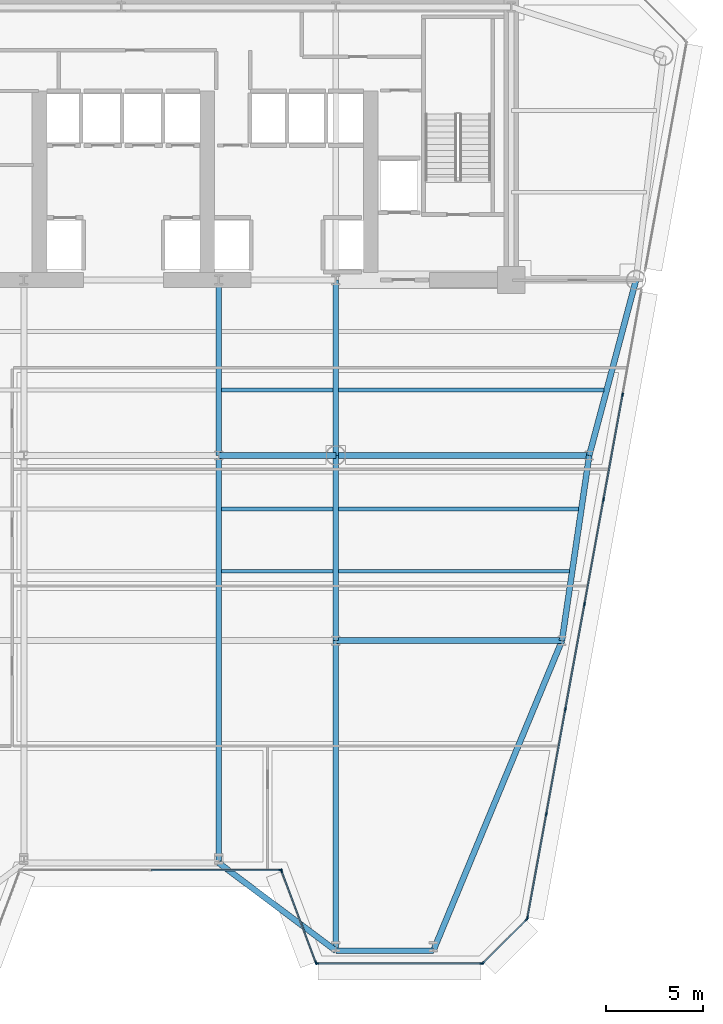
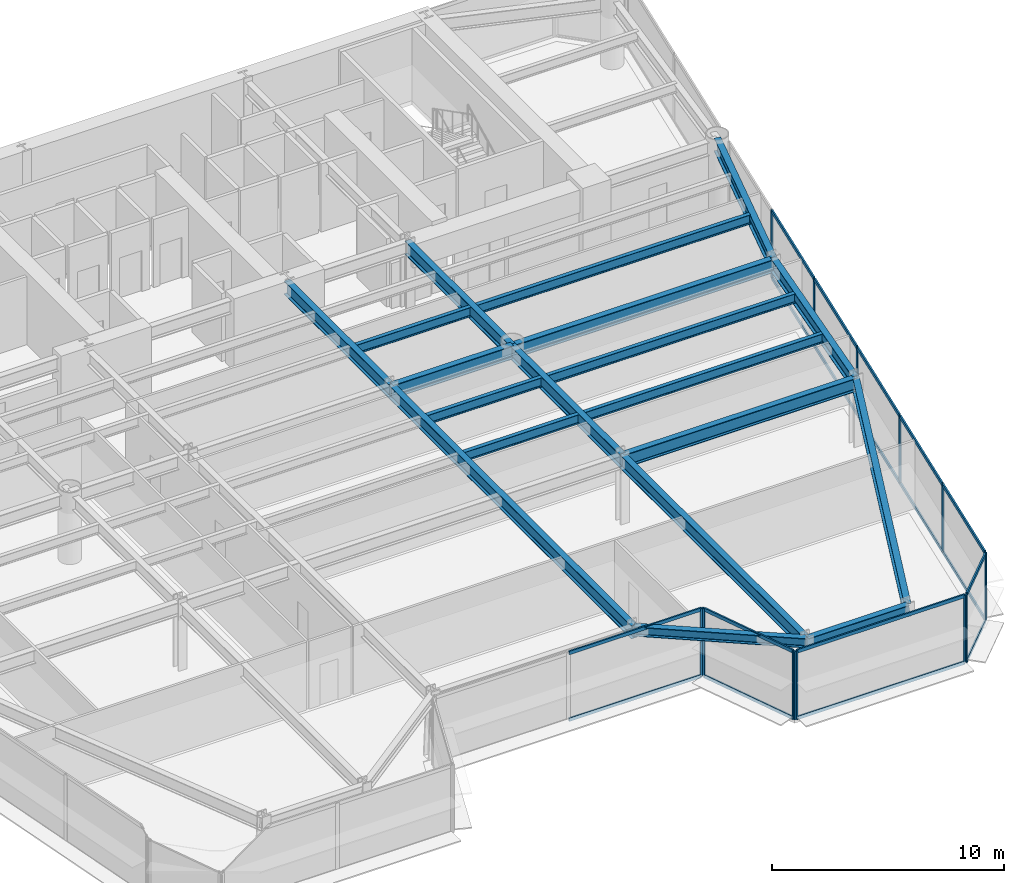
# One storey, part 4 of 14: 31 members, 19 beams, 5 elements without a shape of their own.
"""IFC4 building model written with IfcOpenShell, lengths in metres."""

from ifc_helpers import new_model, si_unit, direction, frame, origin, origin_2d, place, context, subcontext, project, spatial, rectangle, i_section, extrude, source, transform, mapped, material, layer, layer_set, material_profile, profile_set, type_object, element, aggregate, save


model = new_model("IFC4")

# Units and contexts
model_context = context("Model", 3, precision=1e-05, world=origin(), true_north=direction((0.0, 1.0)))
body_context = subcontext(model_context, "Body", "Model", "MODEL_VIEW")
ifc_project = project(units=[si_unit("LENGTHUNIT", "METRE"), si_unit("AREAUNIT", "SQUARE_METRE"), si_unit("VOLUMEUNIT", "CUBIC_METRE"), si_unit("PLANEANGLEUNIT", "RADIAN"), si_unit("MASSUNIT", "GRAM", prefix="KILO")], contexts=[model_context])

# Site, building, storey
site_placement = place(None, origin())
site = spatial("IfcSite", under=ifc_project, at=site_placement, CompositionType="ELEMENT")
building_placement = place(site_placement, origin())
building = spatial("IfcBuilding", under=site, at=building_placement, Name="Vaeldorn Concourse Tower", CompositionType="ELEMENT")
storey_placement = place(building_placement, frame((0.0, 0.0, 122.39990234375)))
storey = spatial("IfcBuildingStorey", under=building, at=storey_placement, Name="L31", CompositionType="ELEMENT", Elevation=122.39990234375)

# Beams
ifc_material_1 = material(Name="Steel S355", Category="steel")
ifc_material_profile_1 = material_profile(ifc_material_1, i_section(OverallWidth=0.199951171875, OverallDepth=0.5, WebThickness=0.01025390625, FlangeThickness=0.01611328125, FilletRadius=0.02099609375, at=origin_2d()), Name="IPE 500")
ifc_profile_set_1 = profile_set([ifc_material_profile_1], Name="Steel S355")
beam_type_1 = type_object("IfcBeamType", Name="BM-JS-IPE500", PredefinedType="JOIST", material=ifc_profile_set_1)
shared_shape_1 = source(origin(), body_context, "Body", "SweptSolid", [
    extrude(i_section(OverallWidth=0.199951171875, OverallDepth=0.5, WebThickness=0.01025390625, FlangeThickness=0.01611328125, FilletRadius=0.02099609375, at=origin_2d()), origin(), (0.0, 0.0, 1.0), 11.82470703125),
])
beam_1_placement = place(storey_placement, frame((45.14990234375, 21.56005859375, 3.330078125), z_axis=(1.0, 0.0, 0.0), x_axis=(0.0, 1.0, 0.0)))
element("IfcBeam", 1, at=beam_1_placement, inside=storey, type_object=beam_type_1, Name="Beam JS-L31-E1-215", PredefinedType="JOIST", context=body_context, shape_type="MappedRepresentation", body=[
    mapped(shared_shape_1, transform((0.0, 0.0, 0.0), scale=1.0)),
])
shared_shape_2 = source(origin(), body_context, "Body", "SweptSolid", [
    extrude(i_section(OverallWidth=0.199951171875, OverallDepth=0.5, WebThickness=0.01025390625, FlangeThickness=0.01611328125, FilletRadius=0.02099609375, at=origin_2d()), origin(), (0.0, 0.0, 1.0), 5.7001953125),
])
for number, where, z_axis, x_axis, name in (
    (2, (39.14990234375, 21.56005859375, 3.330078125), (1.0, 0.0, 0.0), (0.0, 1.0, 0.0), "Beam JS-L31-E2-215"),
    (3, (39.14990234375, 24.760009765625, 3.330078125), (1.0, 0.0, 0.0), (0.0, 1.0, 0.0), "Beam JS-L31-E2-247"),
    (4, (39.14990234375, 30.860107421875, 3.330078125), (1.0, 0.0, 0.0), (0.0, 1.0, 0.0), "Beam JS-L31-E2-308"),
):
    element("IfcBeam", number, at=place(storey_placement, frame(where, z_axis=z_axis, x_axis=x_axis)), inside=storey, type_object=beam_type_1, Name=name, PredefinedType="JOIST", context=body_context, shape_type="MappedRepresentation", body=[
        mapped(shared_shape_2, transform((0.0, 0.0, 0.0), scale=1.0)),
    ])
shared_shape_3 = source(origin(), body_context, "Body", "SweptSolid", [
    extrude(i_section(OverallWidth=0.199951171875, OverallDepth=0.5, WebThickness=0.01025390625, FlangeThickness=0.01611328125, FilletRadius=0.02099609375, at=origin_2d()), origin(), (0.0, 0.0, 1.0), 12.29638671875),
])
beam_2_placement = place(storey_placement, frame((45.14990234375, 24.760009765625, 3.330078125), z_axis=(1.0, 0.0, 0.0), x_axis=(0.0, 1.0, 0.0)))
element("IfcBeam", 5, at=beam_2_placement, inside=storey, type_object=beam_type_1, Name="Beam JS-L31-E1-247", PredefinedType="JOIST", context=body_context, shape_type="MappedRepresentation", body=[
    mapped(shared_shape_3, transform((0.0, 0.0, 0.0), scale=1.0)),
])
shared_shape_4 = source(origin(), body_context, "Body", "SweptSolid", [
    extrude(i_section(OverallWidth=0.199951171875, OverallDepth=0.5, WebThickness=0.01025390625, FlangeThickness=0.01611328125, FilletRadius=0.02099609375, at=origin_2d()), origin(), (0.0, 0.0, 1.0), 13.59619140625),
])
beam_3_placement = place(storey_placement, frame((45.14990234375, 30.860107421875, 3.330078125), z_axis=(1.0, 0.0, 0.0), x_axis=(0.0, 1.0, 0.0)))
element("IfcBeam", 6, at=beam_3_placement, inside=storey, type_object=beam_type_1, Name="Beam JS-L31-E1-308", PredefinedType="JOIST", context=body_context, shape_type="MappedRepresentation", body=[
    mapped(shared_shape_4, transform((0.0, 0.0, 0.0), scale=1.0)),
])
ifc_material_profile_2 = material_profile(ifc_material_1, i_section(OverallWidth=0.300048828125, OverallDepth=0.699951171875, WebThickness=0.01708984375, FlangeThickness=0.031982421875, FilletRadius=0.027099609375, at=origin_2d()), Name="HEB 700")
ifc_profile_set_2 = profile_set([ifc_material_profile_2], Name="Steel S355")
beam_type_2 = type_object("IfcBeamType", Name="BM-PG-HEB700", PredefinedType="BEAM", material=ifc_profile_set_2)
shared_shape_5 = source(origin(), body_context, "Body", "SweptSolid", [
    extrude(i_section(OverallWidth=0.300048828125, OverallDepth=0.699951171875, WebThickness=0.01708984375, FlangeThickness=0.031982421875, FilletRadius=0.027099609375, at=origin_2d()), origin(), (0.0, 0.0, 1.0), 6.0),
])
beam_4_placement = place(storey_placement, frame((39.0, 27.5, 3.22998046875), z_axis=(1.0, 0.0, 0.0), x_axis=(0.0, 1.0, 0.0)))
element("IfcBeam", 7, at=beam_4_placement, inside=storey, type_object=beam_type_2, Name="Beam BM-L31-C-TW3-C-TW4", PredefinedType="BEAM", context=body_context, shape_type="MappedRepresentation", body=[
    mapped(shared_shape_5, transform((0.0, 0.0, 0.0), scale=1.0)),
])
shared_shape_6 = source(origin(), body_context, "Body", "SweptSolid", [
    extrude(i_section(OverallWidth=0.300048828125, OverallDepth=0.699951171875, WebThickness=0.01708984375, FlangeThickness=0.031982421875, FilletRadius=0.027099609375, at=origin_2d()), origin(), (0.0, 0.0, 1.0), 9.0),
])
for number, where, z_axis, x_axis, name in (
    (8, (39.0, 27.5, 3.22998046875), (0.0, 1.0, 0.0), (-1.0, 0.0, 0.0), "Beam BM-L31-C-TW3-C-FC4"),
    (9, (45.0, 27.5, 3.22998046875), (0.0, 1.0, 0.0), (-1.0, 0.0, 0.0), "Beam BM-L31-C-TW4-C-FC5"),
):
    element("IfcBeam", number, at=place(storey_placement, frame(where, z_axis=z_axis, x_axis=x_axis)), inside=storey, type_object=beam_type_2, Name=name, PredefinedType="BEAM", context=body_context, shape_type="MappedRepresentation", body=[
        mapped(shared_shape_6, transform((0.0, 0.0, 0.0), scale=1.0)),
    ])
shared_shape_7 = source(origin(), body_context, "Body", "SweptSolid", [
    extrude(i_section(OverallWidth=0.300048828125, OverallDepth=0.699951171875, WebThickness=0.01708984375, FlangeThickness=0.031982421875, FilletRadius=0.027099609375, at=origin_2d()), origin(), (0.0, 0.0, 1.0), 9.314453125),
])
beam_5_placement = place(storey_placement, frame((60.39990234375, 36.5, 3.22998046875), z_axis=(-0.257652862255, -0.966237549763, 0.0), x_axis=(0.966237549763, -0.257652862255, 0.0)))
element("IfcBeam", 10, at=beam_5_placement, inside=storey, type_object=beam_type_2, Name="Beam BM-L31-C-NE2-C-FLE1", PredefinedType="BEAM", context=body_context, shape_type="MappedRepresentation", body=[
    mapped(shared_shape_7, transform((0.0, 0.0, 0.0), scale=1.0)),
])
shared_shape_8 = source(origin(), body_context, "Body", "SweptSolid", [
    extrude(i_section(OverallWidth=0.300048828125, OverallDepth=0.699951171875, WebThickness=0.01708984375, FlangeThickness=0.031982421875, FilletRadius=0.027099609375, at=origin_2d()), origin(), (0.0, 0.0, 1.0), 13.0),
])
beam_6_placement = place(storey_placement, frame((45.0, 27.5, 3.22998046875), z_axis=(1.0, 0.0, 0.0), x_axis=(0.0, 1.0, 0.0)))
element("IfcBeam", 11, at=beam_6_placement, inside=storey, type_object=beam_type_2, Name="Beam BM-L31-C-TW4-C-FLE1", PredefinedType="BEAM", context=body_context, shape_type="MappedRepresentation", body=[
    mapped(shared_shape_8, transform((0.0, 0.0, 0.0), scale=1.0)),
])
ifc_material_profile_3 = material_profile(ifc_material_1, i_section(OverallWidth=0.300048828125, OverallDepth=0.5, WebThickness=0.014404296875, FlangeThickness=0.028076171875, FilletRadius=0.027099609375, at=origin_2d()), Name="HEB 500")
ifc_profile_set_3 = profile_set([ifc_material_profile_3], Name="Steel S355")
beam_type_3 = type_object("IfcBeamType", Name="BM-SP-HEB500", PredefinedType="SPANDREL", material=ifc_profile_set_3)
shared_shape_9 = source(origin(), body_context, "Body", "SweptSolid", [
    extrude(i_section(OverallWidth=0.300048828125, OverallDepth=0.5, WebThickness=0.014404296875, FlangeThickness=0.028076171875, FilletRadius=0.027099609375, at=origin_2d()), origin(), (0.0, 0.0, 1.0), 5.0),
])
beam_7_placement = place(storey_placement, frame((45.0, 2.095458984375, 3.330078125), z_axis=(1.0, 0.0, 0.0), x_axis=(0.0, 1.0, 0.0)))
element("IfcBeam", 12, at=beam_7_placement, inside=storey, type_object=beam_type_3, Name="Beam BM-L31-C-SF5-C-SF6", PredefinedType="SPANDREL", context=body_context, shape_type="MappedRepresentation", body=[
    mapped(shared_shape_9, transform((0.0, 0.0, 0.0), scale=1.0)),
])
shared_shape_10 = source(origin(), body_context, "Body", "SweptSolid", [
    extrude(i_section(OverallWidth=0.300048828125, OverallDepth=0.5, WebThickness=0.014404296875, FlangeThickness=0.028076171875, FilletRadius=0.027099609375, at=origin_2d()), origin(), (0.0, 0.0, 1.0), 7.5),
])
beam_8_placement = place(storey_placement, frame((39.0, 6.595458984375, 3.330078125), z_axis=(0.8, -0.6, 0.0), x_axis=(0.6, 0.8, 0.0)))
element("IfcBeam", 13, at=beam_8_placement, inside=storey, type_object=beam_type_3, Name="Beam BM-L31-C-SF4-C-SF5", PredefinedType="SPANDREL", context=body_context, shape_type="MappedRepresentation", body=[
    mapped(shared_shape_10, transform((0.0, 0.0, 0.0), scale=1.0)),
])
shared_shape_11 = source(origin(), body_context, "Body", "SweptSolid", [
    extrude(i_section(OverallWidth=0.300048828125, OverallDepth=0.699951171875, WebThickness=0.01708984375, FlangeThickness=0.031982421875, FilletRadius=0.027099609375, at=origin_2d()), origin(), (0.0, 0.0, 1.0), 9.6025390625),
])
beam_9_placement = place(storey_placement, frame((58.0, 27.5, 3.22998046875), z_axis=(-0.145783835977, -0.989316467652, 0.0), x_axis=(0.989316467652, -0.145783835977, 0.0)))
element("IfcBeam", 14, at=beam_9_placement, inside=storey, type_object=beam_type_2, Name="Beam BM-L31-C-FLE1-C-FLE2", PredefinedType="BEAM", context=body_context, shape_type="MappedRepresentation", body=[
    mapped(shared_shape_11, transform((0.0, 0.0, 0.0), scale=1.0)),
])
shared_shape_12 = source(origin(), body_context, "Body", "SweptSolid", [
    extrude(i_section(OverallWidth=0.300048828125, OverallDepth=0.699951171875, WebThickness=0.01708984375, FlangeThickness=0.031982421875, FilletRadius=0.027099609375, at=origin_2d()), origin(), (0.0, 0.0, 1.0), 11.60009765625),
])
beam_10_placement = place(storey_placement, frame((45.0, 18.0, 3.22998046875), z_axis=(1.0, 0.0, 0.0), x_axis=(0.0, 1.0, 0.0)))
element("IfcBeam", 15, at=beam_10_placement, inside=storey, type_object=beam_type_2, Name="Beam BM-L31-C-TW6-C-FLE2", PredefinedType="BEAM", context=body_context, shape_type="MappedRepresentation", body=[
    mapped(shared_shape_12, transform((0.0, 0.0, 0.0), scale=1.0)),
])
shared_shape_13 = source(origin(), body_context, "Body", "SweptSolid", [
    extrude(i_section(OverallWidth=0.300048828125, OverallDepth=0.699951171875, WebThickness=0.01708984375, FlangeThickness=0.031982421875, FilletRadius=0.027099609375, at=origin_2d()), origin(), (0.0, 0.0, 1.0), 9.5),
])
beam_11_placement = place(storey_placement, frame((45.0, 18.0, 3.22998046875), z_axis=(0.0, 1.0, 0.0), x_axis=(-1.0, 0.0, 0.0)))
element("IfcBeam", 16, at=beam_11_placement, inside=storey, type_object=beam_type_2, Name="Beam BM-L31-C-TW6-C-TW4", PredefinedType="BEAM", context=body_context, shape_type="MappedRepresentation", body=[
    mapped(shared_shape_13, transform((0.0, 0.0, 0.0), scale=1.0)),
])
shared_shape_14 = source(origin(), body_context, "Body", "SweptSolid", [
    extrude(i_section(OverallWidth=0.300048828125, OverallDepth=0.699951171875, WebThickness=0.01708984375, FlangeThickness=0.031982421875, FilletRadius=0.027099609375, at=origin_2d()), origin(), (0.0, 0.0, 1.0), 17.2197265625),
])
beam_12_placement = place(storey_placement, frame((50.0, 2.095458984375, 3.22998046875), z_axis=(0.3832891314, 0.923628411078, 0.0), x_axis=(-0.923628411078, 0.3832891314, 0.0)))
element("IfcBeam", 17, at=beam_12_placement, inside=storey, type_object=beam_type_2, Name="Beam BM-L31-C-SF6-C-FLE2", PredefinedType="BEAM", context=body_context, shape_type="MappedRepresentation", body=[
    mapped(shared_shape_14, transform((0.0, 0.0, 0.0), scale=1.0)),
])
shared_shape_15 = source(origin(), body_context, "Body", "SweptSolid", [
    extrude(i_section(OverallWidth=0.300048828125, OverallDepth=0.699951171875, WebThickness=0.01708984375, FlangeThickness=0.031982421875, FilletRadius=0.027099609375, at=origin_2d()), origin(), (0.0, 0.0, 1.0), 15.904541015625),
])
beam_13_placement = place(storey_placement, frame((45.0, 2.095458984375, 3.22998046875), z_axis=(0.0, 1.0, 0.0), x_axis=(-1.0, 0.0, 0.0)))
element("IfcBeam", 18, at=beam_13_placement, inside=storey, type_object=beam_type_2, Name="Beam BM-L31-C-SF5-C-TW6", PredefinedType="BEAM", context=body_context, shape_type="MappedRepresentation", body=[
    mapped(shared_shape_15, transform((0.0, 0.0, 0.0), scale=1.0)),
])
shared_shape_16 = source(origin(), body_context, "Body", "SweptSolid", [
    extrude(i_section(OverallWidth=0.300048828125, OverallDepth=0.699951171875, WebThickness=0.01708984375, FlangeThickness=0.031982421875, FilletRadius=0.027099609375, at=origin_2d()), origin(), (0.0, 0.0, 1.0), 20.904541015625),
])
beam_14_placement = place(storey_placement, frame((39.0, 6.595458984375, 3.22998046875), z_axis=(0.0, 1.0, 0.0), x_axis=(-1.0, 0.0, 0.0)))
element("IfcBeam", 19, at=beam_14_placement, inside=storey, type_object=beam_type_2, Name="Beam BM-L31-C-SF4-C-TW3", PredefinedType="BEAM", context=body_context, shape_type="MappedRepresentation", body=[
    mapped(shared_shape_16, transform((0.0, 0.0, 0.0), scale=1.0)),
])

# Curtain wall, members
ifc_material_2 = material(Name="Anodised Bronze Aluminium", Category="aluminium")
ifc_layer = layer(ifc_material_2, 0.199951171875)
ifc_layer_set = layer_set([ifc_layer], Name="Anodised Bronze Aluminium")
curtain_wall_type = type_object("IfcCurtainWallType", Name="CW-SYS-02", PredefinedType="NOTDEFINED", material=ifc_layer_set)
curtain_wall_1_placement = place(storey_placement, origin())
curtain_wall_1 = element("IfcCurtainWall", 20, at=curtain_wall_1_placement, inside=storey, type_object=curtain_wall_type, Name="Unitised Curtain Wall CW-L31-E03-1", PredefinedType="NOTDEFINED")
ifc_material_profile_4 = material_profile(ifc_material_2, rectangle(XDim=0.074951171875, YDim=0.179931640625, at=origin_2d()), Name="CWT 75x180")
ifc_profile_set_4 = profile_set([ifc_material_profile_4], Name="Anodised Bronze Aluminium")
member_type_1 = type_object("IfcMemberType", Name="CWT-BRONZE-180", PredefinedType="USERDEFINED", material=ifc_profile_set_4)
shared_shape_17 = source(origin(), body_context, "Body", "SweptSolid", [
    extrude(rectangle(XDim=0.074951171875, YDim=0.179931640625, at=origin_2d()), origin(), (0.0, 0.0, 1.0), 6.58740234375),
])
member_1_placement = place(storey_placement, frame((35.53759765625, 6.234619140625, 0.03759765625), z_axis=(1.0, 0.0, 0.0), x_axis=(0.0, 1.0, 0.0)))
member_1 = element("IfcMember", 21, at=member_1_placement, type_object=member_type_1, Name="CW-02 transom 2.1", ObjectType="TRANSOM", PredefinedType="USERDEFINED", context=body_context, shape_type="MappedRepresentation", body=[
    mapped(shared_shape_17, transform((0.0, 0.0, 0.0), scale=1.0)),
])
member_2_placement = place(storey_placement, frame((35.53759765625, 6.234619140625, 3.54248046875), z_axis=(1.0, 0.0, 0.0), x_axis=(0.0, 1.0, 0.0)))
member_2 = element("IfcMember", 22, at=member_2_placement, type_object=member_type_1, Name="CW-02 transom 2.2", ObjectType="TRANSOM", PredefinedType="USERDEFINED", context=body_context, shape_type="MappedRepresentation", body=[
    mapped(shared_shape_17, transform((0.0, 0.0, 0.0), scale=1.0)),
])

curtain_wall_2_placement = place(storey_placement, origin())
curtain_wall_2 = element("IfcCurtainWall", 23, at=curtain_wall_2_placement, inside=storey, type_object=curtain_wall_type, Name="Unitised Curtain Wall CW-L31-E04-1", PredefinedType="NOTDEFINED")
shared_shape_18 = source(origin(), body_context, "Body", "SweptSolid", [
    extrude(rectangle(XDim=0.074951171875, YDim=0.179931640625, at=origin_2d()), origin(), (0.0, 0.0, 1.0), 4.9765625),
])
member_3_placement = place(storey_placement, frame((42.226318359375, 6.164306640625, 0.03759765625), z_axis=(0.351112688987, -0.936333209724, 0.0), x_axis=(0.936333209724, 0.351112688987, 0.0)))
member_3 = element("IfcMember", 24, at=member_3_placement, type_object=member_type_1, Name="CW-02 transom 1.1", ObjectType="TRANSOM", PredefinedType="USERDEFINED", context=body_context, shape_type="MappedRepresentation", body=[
    mapped(shared_shape_18, transform((0.0, 0.0, 0.0), scale=1.0)),
])
member_4_placement = place(storey_placement, frame((42.226318359375, 6.164306640625, 3.54248046875), z_axis=(0.351112688987, -0.936333209724, 0.0), x_axis=(0.936333209724, 0.351112688987, 0.0)))
member_4 = element("IfcMember", 25, at=member_4_placement, type_object=member_type_1, Name="CW-02 transom 1.2", ObjectType="TRANSOM", PredefinedType="USERDEFINED", context=body_context, shape_type="MappedRepresentation", body=[
    mapped(shared_shape_18, transform((0.0, 0.0, 0.0), scale=1.0)),
])

curtain_wall_3_placement = place(storey_placement, origin())
curtain_wall_3 = element("IfcCurtainWall", 26, at=curtain_wall_3_placement, inside=storey, type_object=curtain_wall_type, Name="Unitised Curtain Wall CW-L31-E06-1", PredefinedType="NOTDEFINED")
shared_shape_19 = source(origin(), body_context, "Body", "SweptSolid", [
    extrude(rectangle(XDim=0.074951171875, YDim=0.179931640625, at=origin_2d()), origin(), (0.0, 0.0, 1.0), 3.1025390625),
])
member_5_placement = place(storey_placement, frame((52.57470703125, 1.487548828125, 0.03759765625), z_axis=(0.707106781187, 0.707106781187, 0.0), x_axis=(-0.707106781187, 0.707106781187, 0.0)))
member_5 = element("IfcMember", 27, at=member_5_placement, type_object=member_type_1, Name="CW-02 transom 1.1", ObjectType="TRANSOM", PredefinedType="USERDEFINED", context=body_context, shape_type="MappedRepresentation", body=[
    mapped(shared_shape_19, transform((0.0, 0.0, 0.0), scale=1.0)),
])
member_6_placement = place(storey_placement, frame((52.57470703125, 1.487548828125, 3.54248046875), z_axis=(0.707106781187, 0.707106781187, 0.0), x_axis=(-0.707106781187, 0.707106781187, 0.0)))
member_6 = element("IfcMember", 28, at=member_6_placement, type_object=member_type_1, Name="CW-02 transom 1.2", ObjectType="TRANSOM", PredefinedType="USERDEFINED", context=body_context, shape_type="MappedRepresentation", body=[
    mapped(shared_shape_19, transform((0.0, 0.0, 0.0), scale=1.0)),
])

curtain_wall_4_placement = place(storey_placement, origin())
curtain_wall_4 = element("IfcCurtainWall", 29, at=curtain_wall_4_placement, inside=storey, type_object=curtain_wall_type, Name="Unitised Curtain Wall CW-L31-E05-1", PredefinedType="NOTDEFINED")
shared_shape_20 = source(origin(), body_context, "Body", "SweptSolid", [
    extrude(rectangle(XDim=0.074951171875, YDim=0.179931640625, at=origin_2d()), origin(), (0.0, 0.0, 1.0), 8.371826171875),
])
member_7_placement = place(storey_placement, frame((44.074951171875, 1.4345703125, 0.03759765625), z_axis=(1.0, 0.0, 0.0), x_axis=(0.0, 1.0, 0.0)))
member_7 = element("IfcMember", 30, at=member_7_placement, type_object=member_type_1, Name="CW-02 transom 1.1", ObjectType="TRANSOM", PredefinedType="USERDEFINED", context=body_context, shape_type="MappedRepresentation", body=[
    mapped(shared_shape_20, transform((0.0, 0.0, 0.0), scale=1.0)),
])
member_8_placement = place(storey_placement, frame((44.074951171875, 1.4345703125, 3.54248046875), z_axis=(1.0, 0.0, 0.0), x_axis=(0.0, 1.0, 0.0)))
member_8 = element("IfcMember", 31, at=member_8_placement, type_object=member_type_1, Name="CW-02 transom 1.2", ObjectType="TRANSOM", PredefinedType="USERDEFINED", context=body_context, shape_type="MappedRepresentation", body=[
    mapped(shared_shape_20, transform((0.0, 0.0, 0.0), scale=1.0)),
])

# Member
ifc_material_profile_5 = material_profile(ifc_material_2, rectangle(XDim=0.074951171875, YDim=0.18994140625, at=origin_2d()), Name="CWM 75x190")
ifc_profile_set_5 = profile_set([ifc_material_profile_5], Name="Anodised Bronze Aluminium")
member_type_2 = type_object("IfcMemberType", Name="CWM-BRONZE-190", PredefinedType="MULLION", material=ifc_profile_set_5)
shared_shape_21 = source(origin(), body_context, "Body", "SweptSolid", [
    extrude(rectangle(XDim=0.074951171875, YDim=0.18994140625, at=origin_2d()), origin(), (0.0, 0.0, 1.0), 3.580078125),
])
member_9_placement = place(storey_placement, frame((42.16259765625, 6.234619140625, 0.0), z_axis=(0.0, 0.0, 1.0), x_axis=(0.0, 1.0, 0.0)))
member_9 = element("IfcMember", 32, at=member_9_placement, type_object=member_type_2, Name="CW-02 mullion 3", PredefinedType="MULLION", context=body_context, shape_type="MappedRepresentation", body=[
    mapped(shared_shape_21, transform((0.0, 0.0, 0.0), scale=1.0)),
])

aggregate(curtain_wall_1, [member_9, member_1, member_2])

member_10_placement = place(storey_placement, frame((42.213134765625, 6.199462890625, 0.0), z_axis=(0.0, 0.0, 1.0), x_axis=(0.936329177566, 0.351123441595, 0.0)))
member_10 = element("IfcMember", 33, at=member_10_placement, type_object=member_type_2, Name="CW-02 mullion 1", PredefinedType="MULLION", context=body_context, shape_type="MappedRepresentation", body=[
    mapped(shared_shape_21, transform((0.0, 0.0, 0.0), scale=1.0)),
])

member_11_placement = place(storey_placement, frame((43.98681640625, 1.4697265625, 0.0), z_axis=(0.0, 0.0, 1.0), x_axis=(0.936329177566, 0.351123441595, 0.0)))
member_11 = element("IfcMember", 34, at=member_11_placement, type_object=member_type_2, Name="CW-02 mullion 2", PredefinedType="MULLION", context=body_context, shape_type="MappedRepresentation", body=[
    mapped(shared_shape_21, transform((0.0, 0.0, 0.0), scale=1.0)),
])

aggregate(curtain_wall_2, [member_10, member_11, member_3, member_4])

member_12_placement = place(storey_placement, frame((44.03759765625, 1.4345703125, 0.0), z_axis=(0.0, 0.0, 1.0), x_axis=(0.0, 1.0, 0.0)))
member_12 = element("IfcMember", 35, at=member_12_placement, type_object=member_type_2, Name="CW-02 mullion 1", PredefinedType="MULLION", context=body_context, shape_type="MappedRepresentation", body=[
    mapped(shared_shape_21, transform((0.0, 0.0, 0.0), scale=1.0)),
])

member_13_placement = place(storey_placement, frame((52.484130859375, 1.4345703125, 0.0), z_axis=(0.0, 0.0, 1.0), x_axis=(0.0, 1.0, 0.0)))
member_13 = element("IfcMember", 36, at=member_13_placement, type_object=member_type_2, Name="CW-02 mullion 2", PredefinedType="MULLION", context=body_context, shape_type="MappedRepresentation", body=[
    mapped(shared_shape_21, transform((0.0, 0.0, 0.0), scale=1.0)),
])

aggregate(curtain_wall_4, [member_12, member_13, member_7, member_8])

member_14_placement = place(storey_placement, frame((52.548095703125, 1.4609375, 0.0), z_axis=(0.0, 0.0, 1.0), x_axis=(-0.707106781187, 0.707106781187, 0.0)))
member_14 = element("IfcMember", 37, at=member_14_placement, type_object=member_type_2, Name="CW-02 mullion 1", PredefinedType="MULLION", context=body_context, shape_type="MappedRepresentation", body=[
    mapped(shared_shape_21, transform((0.0, 0.0, 0.0), scale=1.0)),
])

member_15_placement = place(storey_placement, frame((54.795166015625, 3.7080078125, 0.0), z_axis=(0.0, 0.0, 1.0), x_axis=(-0.707106781187, 0.707106781187, 0.0)))
member_15 = element("IfcMember", 38, at=member_15_placement, type_object=member_type_2, Name="CW-02 mullion 2", PredefinedType="MULLION", context=body_context, shape_type="MappedRepresentation", body=[
    mapped(shared_shape_21, transform((0.0, 0.0, 0.0), scale=1.0)),
])

aggregate(curtain_wall_3, [member_14, member_15, member_5, member_6])

# Curtain wall, members
curtain_wall_5_placement = place(storey_placement, origin())
curtain_wall_5 = element("IfcCurtainWall", 39, at=curtain_wall_5_placement, inside=storey, type_object=curtain_wall_type, Name="Unitised Curtain Wall CW-L31-E07-1", PredefinedType="NOTDEFINED")
member_16_placement = place(storey_placement, frame((54.828369140625, 3.771484375, 0.0), z_axis=(0.0, 0.0, 1.0), x_axis=(-0.983859071278, 0.178945041465, 0.0)))
member_16 = element("IfcMember", 40, at=member_16_placement, type_object=member_type_2, Name="CW-02 mullion 1", PredefinedType="MULLION", context=body_context, shape_type="MappedRepresentation", body=[
    mapped(shared_shape_21, transform((0.0, 0.0, 0.0), scale=1.0)),
])
member_17_placement = place(storey_placement, frame((55.79931640625, 9.109130859375, 0.0), z_axis=(0.0, 0.0, 1.0), x_axis=(-0.983859071278, 0.178945041465, 0.0)))
member_17 = element("IfcMember", 41, at=member_17_placement, type_object=member_type_2, Name="CW-02 mullion 2", PredefinedType="MULLION", context=body_context, shape_type="MappedRepresentation", body=[
    mapped(shared_shape_21, transform((0.0, 0.0, 0.0), scale=1.0)),
])
member_18_placement = place(storey_placement, frame((56.77685546875, 14.483642578125, 0.0), z_axis=(0.0, 0.0, 1.0), x_axis=(-0.983859071278, 0.178945041465, 0.0)))
member_18 = element("IfcMember", 42, at=member_18_placement, type_object=member_type_2, Name="CW-02 mullion 3", PredefinedType="MULLION", context=body_context, shape_type="MappedRepresentation", body=[
    mapped(shared_shape_21, transform((0.0, 0.0, 0.0), scale=1.0)),
])
member_19_placement = place(storey_placement, frame((57.75439453125, 19.858154296875, 0.0), z_axis=(0.0, 0.0, 1.0), x_axis=(-0.983859071278, 0.178945041465, 0.0)))
member_19 = element("IfcMember", 43, at=member_19_placement, type_object=member_type_2, Name="CW-02 mullion 4", PredefinedType="MULLION", context=body_context, shape_type="MappedRepresentation", body=[
    mapped(shared_shape_21, transform((0.0, 0.0, 0.0), scale=1.0)),
])
member_20_placement = place(storey_placement, frame((58.73193359375, 25.23291015625, 0.0), z_axis=(0.0, 0.0, 1.0), x_axis=(-0.983859071278, 0.178945041465, 0.0)))
member_20 = element("IfcMember", 44, at=member_20_placement, type_object=member_type_2, Name="CW-02 mullion 5", PredefinedType="MULLION", context=body_context, shape_type="MappedRepresentation", body=[
    mapped(shared_shape_21, transform((0.0, 0.0, 0.0), scale=1.0)),
])
member_21_placement = place(storey_placement, frame((59.70947265625, 30.607421875, 0.0), z_axis=(0.0, 0.0, 1.0), x_axis=(-0.983859071278, 0.178945041465, 0.0)))
member_21 = element("IfcMember", 45, at=member_21_placement, type_object=member_type_2, Name="CW-02 mullion 6", PredefinedType="MULLION", context=body_context, shape_type="MappedRepresentation", body=[
    mapped(shared_shape_21, transform((0.0, 0.0, 0.0), scale=1.0)),
])
shared_shape_22 = source(origin(), body_context, "Body", "SweptSolid", [
    extrude(rectangle(XDim=0.074951171875, YDim=0.179931640625, at=origin_2d()), origin(), (0.0, 0.0, 1.0), 5.350341796875),
])
member_22_placement = place(storey_placement, frame((54.835205078125, 3.808349609375, 0.03759765625), z_axis=(0.178921578322, 0.983863338483, 0.0), x_axis=(-0.983863338483, 0.178921578322, 0.0)))
member_22 = element("IfcMember", 46, at=member_22_placement, type_object=member_type_1, Name="CW-02 transom 1.1", ObjectType="TRANSOM", PredefinedType="USERDEFINED", context=body_context, shape_type="MappedRepresentation", body=[
    mapped(shared_shape_22, transform((0.0, 0.0, 0.0), scale=1.0)),
])
member_23_placement = place(storey_placement, frame((54.835205078125, 3.808349609375, 3.54248046875), z_axis=(0.178921578322, 0.983863338483, 0.0), x_axis=(-0.983863338483, 0.178921578322, 0.0)))
member_23 = element("IfcMember", 47, at=member_23_placement, type_object=member_type_1, Name="CW-02 transom 1.2", ObjectType="TRANSOM", PredefinedType="USERDEFINED", context=body_context, shape_type="MappedRepresentation", body=[
    mapped(shared_shape_22, transform((0.0, 0.0, 0.0), scale=1.0)),
])
shared_shape_23 = source(origin(), body_context, "Body", "SweptSolid", [
    extrude(rectangle(XDim=0.074951171875, YDim=0.179931640625, at=origin_2d()), origin(), (0.0, 0.0, 1.0), 5.3876953125),
])
member_24_placement = place(storey_placement, frame((55.805908203125, 9.14599609375, 0.03759765625), z_axis=(0.178945252438, 0.983859032905, 0.0), x_axis=(-0.983859032905, 0.178945252438, 0.0)))
member_24 = element("IfcMember", 48, at=member_24_placement, type_object=member_type_1, Name="CW-02 transom 2.1", ObjectType="TRANSOM", PredefinedType="USERDEFINED", context=body_context, shape_type="MappedRepresentation", body=[
    mapped(shared_shape_23, transform((0.0, 0.0, 0.0), scale=1.0)),
])
member_25_placement = place(storey_placement, frame((55.805908203125, 9.14599609375, 3.54248046875), z_axis=(0.178945252438, 0.983859032905, 0.0), x_axis=(-0.983859032905, 0.178945252438, 0.0)))
member_25 = element("IfcMember", 49, at=member_25_placement, type_object=member_type_1, Name="CW-02 transom 2.2", ObjectType="TRANSOM", PredefinedType="USERDEFINED", context=body_context, shape_type="MappedRepresentation", body=[
    mapped(shared_shape_23, transform((0.0, 0.0, 0.0), scale=1.0)),
])
member_26_placement = place(storey_placement, frame((56.783447265625, 14.5205078125, 0.03759765625), z_axis=(0.178945252438, 0.983859032905, 0.0), x_axis=(-0.983859032905, 0.178945252438, 0.0)))
member_26 = element("IfcMember", 50, at=member_26_placement, type_object=member_type_1, Name="CW-02 transom 3.1", ObjectType="TRANSOM", PredefinedType="USERDEFINED", context=body_context, shape_type="MappedRepresentation", body=[
    mapped(shared_shape_23, transform((0.0, 0.0, 0.0), scale=1.0)),
])
member_27_placement = place(storey_placement, frame((56.783447265625, 14.5205078125, 3.54248046875), z_axis=(0.178945252438, 0.983859032905, 0.0), x_axis=(-0.983859032905, 0.178945252438, 0.0)))
member_27 = element("IfcMember", 51, at=member_27_placement, type_object=member_type_1, Name="CW-02 transom 3.2", ObjectType="TRANSOM", PredefinedType="USERDEFINED", context=body_context, shape_type="MappedRepresentation", body=[
    mapped(shared_shape_23, transform((0.0, 0.0, 0.0), scale=1.0)),
])
member_28_placement = place(storey_placement, frame((57.760986328125, 19.895263671875, 0.03759765625), z_axis=(0.178945252438, 0.983859032905, 0.0), x_axis=(-0.983859032905, 0.178945252438, 0.0)))
member_28 = element("IfcMember", 52, at=member_28_placement, type_object=member_type_1, Name="CW-02 transom 4.1", ObjectType="TRANSOM", PredefinedType="USERDEFINED", context=body_context, shape_type="MappedRepresentation", body=[
    mapped(shared_shape_23, transform((0.0, 0.0, 0.0), scale=1.0)),
])
member_29_placement = place(storey_placement, frame((57.760986328125, 19.895263671875, 3.54248046875), z_axis=(0.178945252438, 0.983859032905, 0.0), x_axis=(-0.983859032905, 0.178945252438, 0.0)))
member_29 = element("IfcMember", 53, at=member_29_placement, type_object=member_type_1, Name="CW-02 transom 4.2", ObjectType="TRANSOM", PredefinedType="USERDEFINED", context=body_context, shape_type="MappedRepresentation", body=[
    mapped(shared_shape_23, transform((0.0, 0.0, 0.0), scale=1.0)),
])
member_30_placement = place(storey_placement, frame((58.738525390625, 25.269775390625, 0.03759765625), z_axis=(0.178945252438, 0.983859032905, 0.0), x_axis=(-0.983859032905, 0.178945252438, 0.0)))
member_30 = element("IfcMember", 54, at=member_30_placement, type_object=member_type_1, Name="CW-02 transom 5.1", ObjectType="TRANSOM", PredefinedType="USERDEFINED", context=body_context, shape_type="MappedRepresentation", body=[
    mapped(shared_shape_23, transform((0.0, 0.0, 0.0), scale=1.0)),
])
member_31_placement = place(storey_placement, frame((58.738525390625, 25.269775390625, 3.54248046875), z_axis=(0.178945252438, 0.983859032905, 0.0), x_axis=(-0.983859032905, 0.178945252438, 0.0)))
member_31 = element("IfcMember", 55, at=member_31_placement, type_object=member_type_1, Name="CW-02 transom 5.2", ObjectType="TRANSOM", PredefinedType="USERDEFINED", context=body_context, shape_type="MappedRepresentation", body=[
    mapped(shared_shape_23, transform((0.0, 0.0, 0.0), scale=1.0)),
])
aggregate(curtain_wall_5, [member_16, member_17, member_18, member_19, member_20, member_21, member_22, member_23, member_24, member_25, member_26, member_27, member_28, member_29, member_30, member_31])

save(model, "model.ifc")
